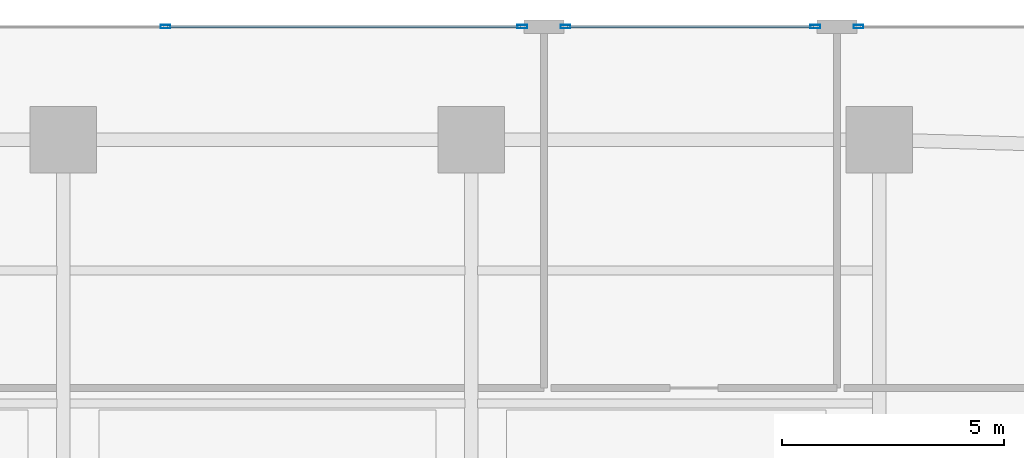
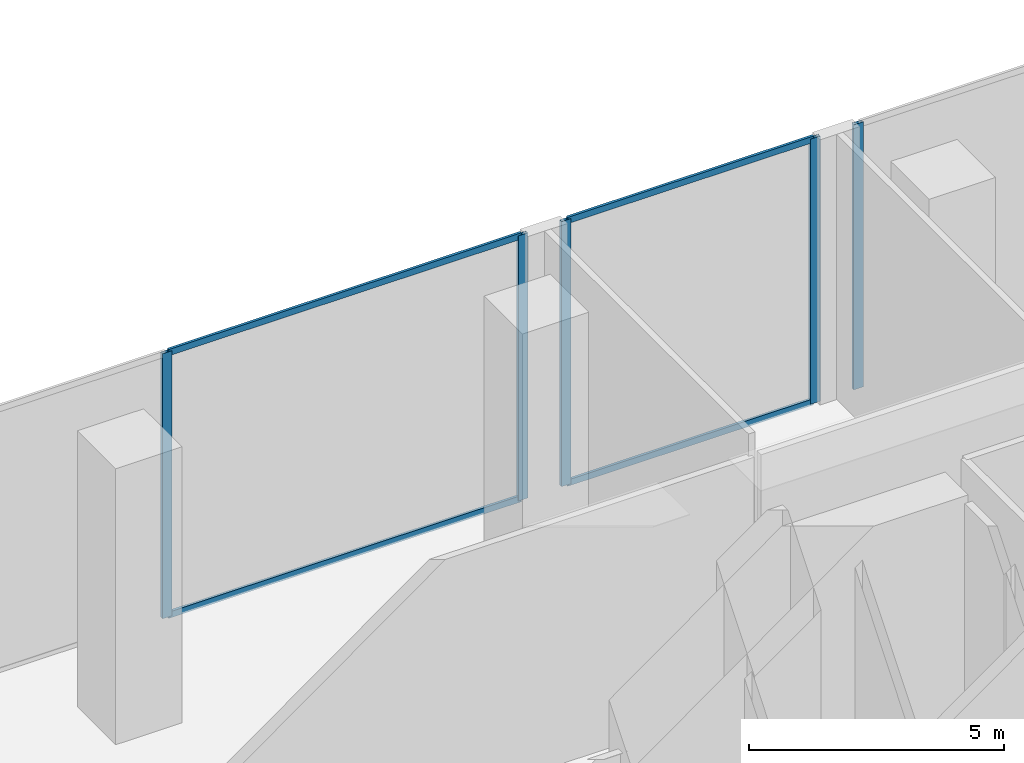
# One storey, part 17 of 30: 9 members, 3 elements without a shape of their own.
"""IFC4 building model written with IfcOpenShell, lengths in metres."""

from ifc_helpers import new_model, si_unit, direction, frame, origin, origin_2d, place, context, subcontext, project, spatial, hollow_rectangle, extrude, material, layer, layer_set, material_profile, profile_set, type_object, element, aggregate, save


model = new_model("IFC4")

# Units and contexts
model_context = context("Model", 3, precision=1e-05, world=origin(), true_north=direction((0.0, 1.0)))
body_context = subcontext(model_context, "Body", "Model", "MODEL_VIEW")
ifc_project = project(units=[si_unit("LENGTHUNIT", "METRE"), si_unit("AREAUNIT", "SQUARE_METRE"), si_unit("VOLUMEUNIT", "CUBIC_METRE"), si_unit("PLANEANGLEUNIT", "RADIAN"), si_unit("MASSUNIT", "GRAM", prefix="KILO")], contexts=[model_context])

# Site, building, storey
site_placement = place(None, origin())
site = spatial("IfcSite", under=ifc_project, at=site_placement, CompositionType="ELEMENT")
building_placement = place(site_placement, origin())
building = spatial("IfcBuilding", under=site, at=building_placement, Name="Zuhayl Quay Hotel", CompositionType="ELEMENT")
storey_placement = place(building_placement, frame((0.0, 0.0, 11.39990234375)))
storey = spatial("IfcBuildingStorey", under=building, at=storey_placement, Name="L02", CompositionType="ELEMENT", Elevation=11.39990234375)

# Curtain wall, members
ifc_material_1 = material(Name="Anodised Aluminium 6063-T6", Category="aluminium")
ifc_layer = layer(ifc_material_1, 0.199951171875, Name="Anodised Aluminium 6063-T6", Category="aluminium")
ifc_layer_set = layer_set([ifc_layer], Name="Anodised Aluminium 6063-T6")
curtain_wall_type = type_object("IfcCurtainWallType", Name="CW_SYS_POD", PredefinedType="USERDEFINED", material=ifc_layer_set)
curtain_wall_1_placement = place(storey_placement, origin())
curtain_wall_1 = element("IfcCurtainWall", 1, at=curtain_wall_1_placement, inside=storey, type_object=curtain_wall_type, Name="L02 Curtain Wall ENV_L02_E05_CW3", ObjectType="UNITISED CURTAIN WALL", PredefinedType="USERDEFINED")
ifc_material_2 = material(Name="Black-anodised aluminium 6063-T6", Category="aluminium")
ifc_material_profile_1 = material_profile(ifc_material_2, hollow_rectangle(XDim=0.074951171875, YDim=0.219970703125, WallThickness=0.00390625, at=origin_2d()), Name="ALU220X75")
ifc_profile_set_1 = profile_set([ifc_material_profile_1], Name="Black-anodised aluminium 6063-T6")
member_type_1 = type_object("IfcMemberType", Name="MB_CW_MUL_220", PredefinedType="MULLION", material=ifc_profile_set_1)
member_1_placement = place(storey_placement, frame((-2.29833984375, 25.0, 0.0), z_axis=(0.0, 0.0, 1.0), x_axis=(0.0, 1.0, 0.0)))
member_1 = element("IfcMember", 2, at=member_1_placement, type_object=member_type_1, Name="CW-POD mullion 3", PredefinedType="MULLION", context=body_context, shape_type="SweptSolid", body=[
    extrude(hollow_rectangle(XDim=0.074951171875, YDim=0.219970703125, WallThickness=0.00390625, at=origin_2d()), origin(), (0.0, 0.0, 1.0), 6.340087890625),
])
member_2_placement = place(storey_placement, frame((5.75244140625, 25.0, 0.0), z_axis=(0.0, 0.0, 1.0), x_axis=(0.0, 1.0, 0.0)))
member_2 = element("IfcMember", 3, at=member_2_placement, type_object=member_type_1, Name="CW-POD mullion 4", PredefinedType="MULLION", context=body_context, shape_type="SweptSolid", body=[
    extrude(hollow_rectangle(XDim=0.074951171875, YDim=0.219970703125, WallThickness=0.00390625, at=origin_2d()), origin(), (0.0, 0.0, 1.0), 6.340087890625),
])

curtain_wall_2_placement = place(storey_placement, origin())
curtain_wall_2 = element("IfcCurtainWall", 4, at=curtain_wall_2_placement, inside=storey, type_object=curtain_wall_type, Name="L02 Curtain Wall ENV_L02_E05_CW4", ObjectType="UNITISED CURTAIN WALL", PredefinedType="USERDEFINED")
member_3_placement = place(storey_placement, frame((6.7275390625, 25.0, 0.0), z_axis=(0.0, 0.0, 1.0), x_axis=(0.0, 1.0, 0.0)))
member_3 = element("IfcMember", 5, at=member_3_placement, type_object=member_type_1, Name="CW-POD mullion 1", PredefinedType="MULLION", context=body_context, shape_type="SweptSolid", body=[
    extrude(hollow_rectangle(XDim=0.074951171875, YDim=0.219970703125, WallThickness=0.00390625, at=origin_2d()), origin(), (0.0, 0.0, 1.0), 6.340087890625),
])
member_4_placement = place(storey_placement, frame((12.362548828125, 25.0, 0.0), z_axis=(0.0, 0.0, 1.0), x_axis=(0.0, 1.0, 0.0)))
member_4 = element("IfcMember", 6, at=member_4_placement, type_object=member_type_1, Name="CW-POD mullion 2", PredefinedType="MULLION", context=body_context, shape_type="SweptSolid", body=[
    extrude(hollow_rectangle(XDim=0.074951171875, YDim=0.219970703125, WallThickness=0.00390625, at=origin_2d()), origin(), (0.0, 0.0, 1.0), 6.340087890625),
])

# Curtain wall, member
curtain_wall_3_placement = place(storey_placement, origin())
curtain_wall_3 = element("IfcCurtainWall", 7, at=curtain_wall_3_placement, inside=storey, type_object=curtain_wall_type, Name="L02 Curtain Wall ENV_L02_E05_CW5", ObjectType="UNITISED CURTAIN WALL", PredefinedType="USERDEFINED")
member_5_placement = place(storey_placement, frame((13.33740234375, 25.0, 0.0), z_axis=(0.0, 0.0, 1.0), x_axis=(0.0, 1.0, 0.0)))
member_5 = element("IfcMember", 8, at=member_5_placement, type_object=member_type_1, Name="CW-POD mullion 1", PredefinedType="MULLION", context=body_context, shape_type="SweptSolid", body=[
    extrude(hollow_rectangle(XDim=0.074951171875, YDim=0.219970703125, WallThickness=0.00390625, at=origin_2d()), origin(), (0.0, 0.0, 1.0), 6.340087890625),
])
aggregate(curtain_wall_3, [member_5])

# Member
ifc_material_profile_2 = material_profile(ifc_material_2, hollow_rectangle(XDim=0.06005859375, YDim=0.14990234375, WallThickness=0.00341796875, at=origin_2d()), Name="ALU150X60")
ifc_profile_set_2 = profile_set([ifc_material_profile_2], Name="Black-anodised aluminium 6063-T6")
member_type_2 = type_object("IfcMemberType", Name="MB_CW_TRN_150", PredefinedType="USERDEFINED", material=ifc_profile_set_2)
member_6_placement = place(storey_placement, frame((-2.2607421875, 25.0, 0.030029296875), z_axis=(1.0, 0.0, 0.0), x_axis=(0.0, 1.0, 0.0)))
member_6 = element("IfcMember", 9, at=member_6_placement, type_object=member_type_2, Name="CW-POD transom 3.1", ObjectType="TRANSOM", PredefinedType="USERDEFINED", context=body_context, shape_type="SweptSolid", body=[
    extrude(hollow_rectangle(XDim=0.06005859375, YDim=0.14990234375, WallThickness=0.00341796875, at=origin_2d()), origin(), (0.0, 0.0, 1.0), 7.975830078125),
])

member_7_placement = place(storey_placement, frame((-2.2607421875, 25.0, 6.31005859375), z_axis=(1.0, 0.0, 0.0), x_axis=(0.0, 1.0, 0.0)))
member_7 = element("IfcMember", 10, at=member_7_placement, type_object=member_type_2, Name="CW-POD transom 3.2", ObjectType="TRANSOM", PredefinedType="USERDEFINED", context=body_context, shape_type="SweptSolid", body=[
    extrude(hollow_rectangle(XDim=0.06005859375, YDim=0.14990234375, WallThickness=0.00341796875, at=origin_2d()), origin(), (0.0, 0.0, 1.0), 7.975830078125),
])

aggregate(curtain_wall_1, [member_1, member_2, member_6, member_7])

member_8_placement = place(storey_placement, frame((6.764892578125, 25.0, 0.030029296875), z_axis=(1.0, 0.0, 0.0), x_axis=(0.0, 1.0, 0.0)))
member_8 = element("IfcMember", 11, at=member_8_placement, type_object=member_type_2, Name="CW-POD transom 1.1", ObjectType="TRANSOM", PredefinedType="USERDEFINED", context=body_context, shape_type="SweptSolid", body=[
    extrude(hollow_rectangle(XDim=0.06005859375, YDim=0.14990234375, WallThickness=0.00341796875, at=origin_2d()), origin(), (0.0, 0.0, 1.0), 5.56005859375),
])

member_9_placement = place(storey_placement, frame((6.764892578125, 25.0, 6.31005859375), z_axis=(1.0, 0.0, 0.0), x_axis=(0.0, 1.0, 0.0)))
member_9 = element("IfcMember", 12, at=member_9_placement, type_object=member_type_2, Name="CW-POD transom 1.2", ObjectType="TRANSOM", PredefinedType="USERDEFINED", context=body_context, shape_type="SweptSolid", body=[
    extrude(hollow_rectangle(XDim=0.06005859375, YDim=0.14990234375, WallThickness=0.00341796875, at=origin_2d()), origin(), (0.0, 0.0, 1.0), 5.56005859375),
])

aggregate(curtain_wall_2, [member_3, member_4, member_8, member_9])

save(model, "model.ifc")
